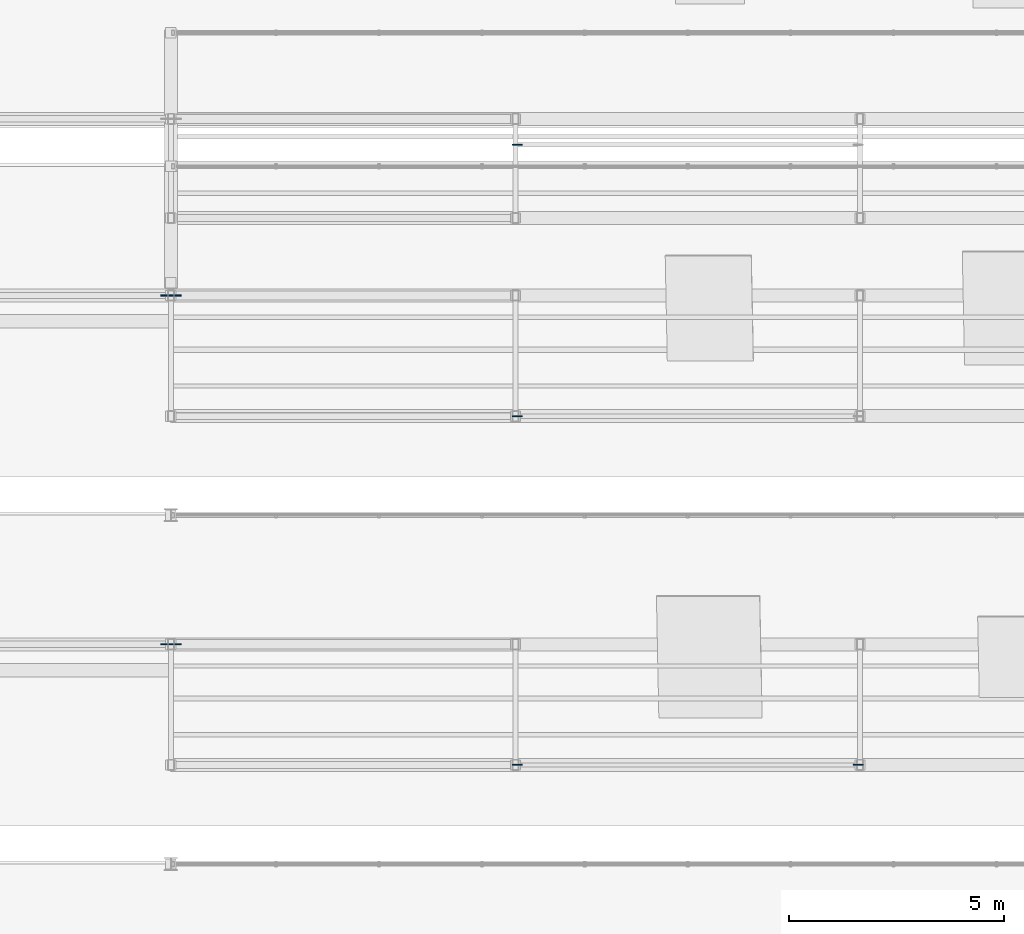
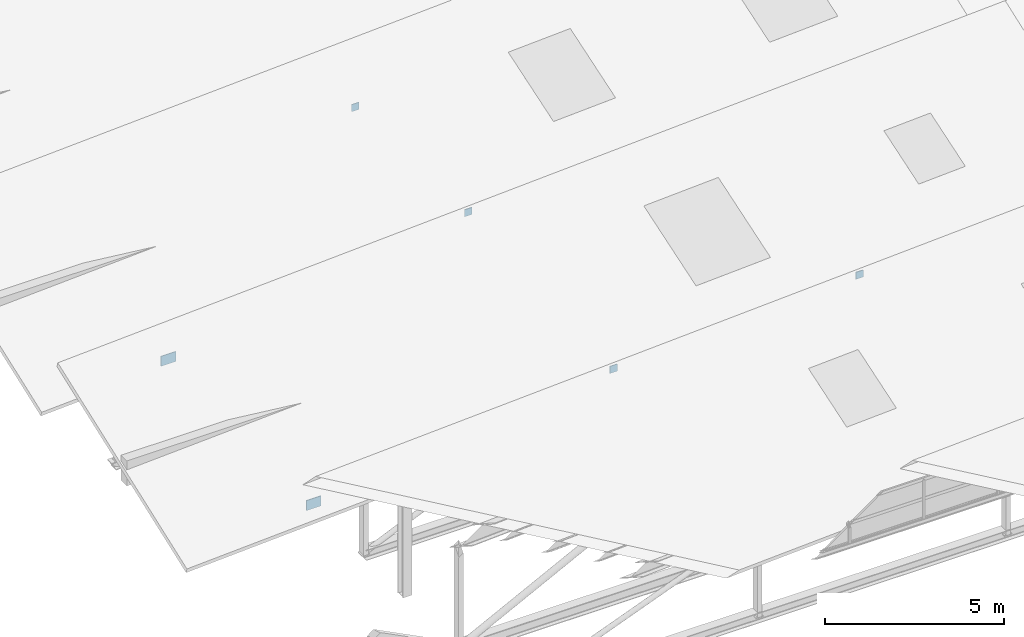
# One storey, part 135 of 141: 6 plates.
"""IFC4 building model written with IfcOpenShell, lengths in metres."""

from ifc_helpers import new_model, si_unit, direction, frame, origin, origin_2d, place, context, subcontext, project, spatial, rectangle, extrude, material, layer, layer_set, type_object, element, save


model = new_model("IFC4")

# Units and contexts
model_context = context("Model", 3, precision=1e-05, world=origin(), true_north=direction((0.0, 1.0)))
body_context = subcontext(model_context, "Body", "Model", "MODEL_VIEW")
ifc_project = project(units=[si_unit("LENGTHUNIT", "METRE"), si_unit("AREAUNIT", "SQUARE_METRE"), si_unit("VOLUMEUNIT", "CUBIC_METRE"), si_unit("PLANEANGLEUNIT", "RADIAN"), si_unit("MASSUNIT", "GRAM", prefix="KILO")], contexts=[model_context])

# Site, building, storey
site_placement = place(None, origin())
site = spatial("IfcSite", under=ifc_project, at=site_placement, CompositionType="ELEMENT")
building_placement = place(site_placement, origin())
building = spatial("IfcBuilding", under=site, at=building_placement, Name="Sundkrona Museum", CompositionType="ELEMENT")
storey_placement = place(building_placement, frame((0.0, 0.0, 34.0)))
storey = spatial("IfcBuildingStorey", under=building, at=storey_placement, Name="RF", CompositionType="ELEMENT", Elevation=34.0)

# Plates
ifc_material = material(Name="Steel S355J2", Category="steel")
ifc_layer_1 = layer(ifc_material, 0.02490234375)
ifc_layer_set_1 = layer_set([ifc_layer_1], Name="Steel S355J2")
plate_type_1 = type_object("IfcPlateType", Name="GP-4", PredefinedType="USERDEFINED", material=ifc_layer_set_1)
for number, where, z_axis, x_axis, name in (
    (1, (120.0, 31.60009765625, -0.419921875), (0.0, 0.0, 1.0), (1.0, 0.0, 0.0), "Sawtooth Truss 5 West Bearing Gusset"),
    (2, (120.0, 39.699951171875, -0.419921875), (0.0, 0.0, 1.0), (1.0, 0.0, 0.0), "Sawtooth Truss 6 West Bearing Gusset"),
):
    element("IfcPlate", number, at=place(storey_placement, frame(where, z_axis=z_axis, x_axis=x_axis)), inside=storey, type_object=plate_type_1, Name=name, ObjectType="GUSSET PLATE", PredefinedType="USERDEFINED", context=body_context, shape_type="SweptSolid", body=[
        extrude(rectangle(XDim=0.47998046875, YDim=0.02490234375, at=origin_2d()), origin(), (0.0, 0.0, 1.0), 0.340087890625),
    ])
ifc_layer_2 = layer(ifc_material, 0.02490234375)
ifc_layer_set_2 = layer_set([ifc_layer_2], Name="Steel S355J2")
plate_type_2 = type_object("IfcPlateType", Name="GP-6", PredefinedType="USERDEFINED", material=ifc_layer_set_2)
for number, where, z_axis, x_axis, name in (
    (3, (128.0400390625, 28.800048828125, 3.091796875), (0.0, 0.0, 1.0), (1.0, 0.0, 0.0), "Hollow Section Seal Cap Plate PR-SAW-RHS-05-1"),
    (4, (135.9599609375, 28.800048828125, 3.5205078125), (0.0, 0.0, 1.0), (1.0, 0.0, 0.0), "Hollow Section Seal Cap Plate PR-SAW-RHS-05-2"),
    (5, (128.0400390625, 36.89990234375, 3.51171875), (0.0, 0.0, 1.0), (1.0, 0.0, 0.0), "Hollow Section Seal Cap Plate PR-SAW-RHS-06-1"),
    (6, (128.0400390625, 43.199951171875, 3.26953125), (0.0, 0.0, 1.0), (1.0, 0.0, 0.0), "Hollow Section Seal Cap Plate PR-SAW-RHS-07-1"),
):
    element("IfcPlate", number, at=place(storey_placement, frame(where, z_axis=z_axis, x_axis=x_axis)), inside=storey, type_object=plate_type_2, Name=name, ObjectType="GUSSET PLATE", PredefinedType="USERDEFINED", context=body_context, shape_type="SweptSolid", body=[
        extrude(rectangle(XDim=0.239990234375, YDim=0.02490234375, at=origin_2d()), origin(), (0.0, 0.0, 1.0), 0.239990234375),
    ])

save(model, "model.ifc")
